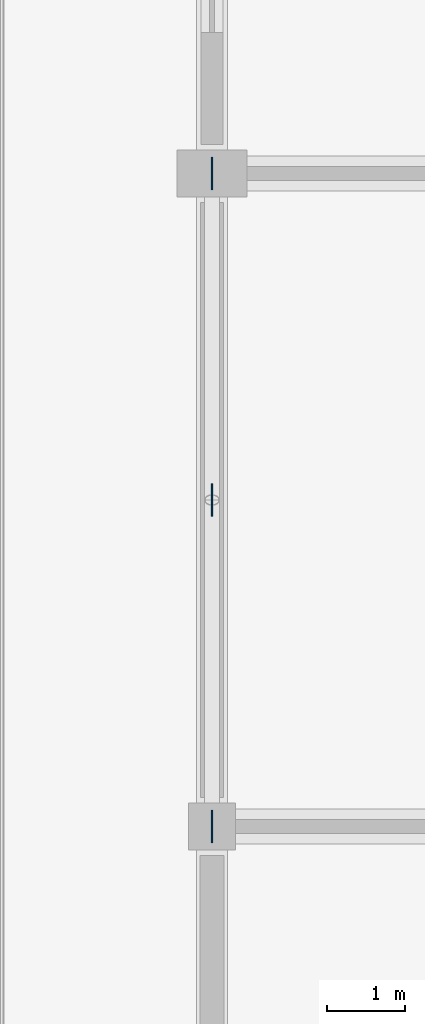
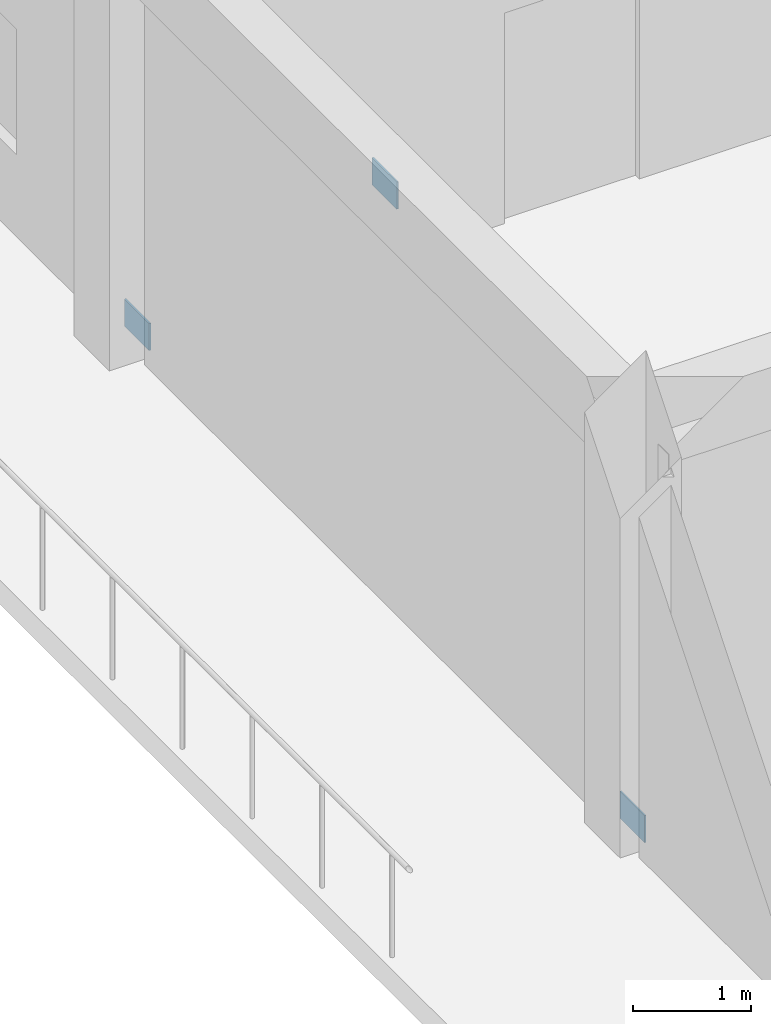
# One storey, part 87 of 138: 3 plates.
"""IFC4 building model written with IfcOpenShell, lengths in metres."""

from ifc_helpers import new_model, si_unit, direction, frame, origin, origin_2d, place, context, subcontext, project, spatial, rectangle, extrude, material, layer, layer_set, type_object, element, save


model = new_model("IFC4")

# Units and contexts
model_context = context("Model", 3, precision=1e-05, world=origin(), true_north=direction((0.0, 1.0)))
body_context = subcontext(model_context, "Body", "Model", "MODEL_VIEW")
ifc_project = project(units=[si_unit("LENGTHUNIT", "METRE"), si_unit("AREAUNIT", "SQUARE_METRE"), si_unit("VOLUMEUNIT", "CUBIC_METRE"), si_unit("PLANEANGLEUNIT", "RADIAN"), si_unit("MASSUNIT", "GRAM", prefix="KILO")], contexts=[model_context])

# Site, building, storey
site_placement = place(None, origin())
site = spatial("IfcSite", under=ifc_project, at=site_placement, CompositionType="ELEMENT")
building_placement = place(site_placement, origin())
building = spatial("IfcBuilding", under=site, at=building_placement, Name="Bramfleet General Hospital", CompositionType="ELEMENT")
storey_placement = place(building_placement, origin())
storey = spatial("IfcBuildingStorey", under=building, at=storey_placement, Name="L00", CompositionType="ELEMENT", Elevation=0.0)

# Plates
ifc_material = material(Name="Steel S355", Category="steel")
ifc_layer = layer(ifc_material, 0.01611328125, Name="PL-GP-420")
ifc_layer_set = layer_set([ifc_layer], Name="Steel S355")
plate_type = type_object("IfcPlateType", Name="PL-GP-420", PredefinedType="USERDEFINED", material=ifc_layer_set)
for number, where, z_axis, x_axis, name in (
    (1, (0.0, 71.39990234375, 4.009765625), (0.0, 0.0, 1.0), (1.0, 0.0, 0.0), "L00 Chevron Gusset Plate 7"),
    (2, (0.0, 67.199951171875, 0.0), (0.0, 0.0, 1.0), (1.0, 0.0, 0.0), "L00 Brace Foot Gusset Plate 7A"),
    (3, (0.0, 75.60009765625, 0.0), (0.0, 0.0, 1.0), (1.0, 0.0, 0.0), "L00 Brace Foot Gusset Plate 7B"),
):
    element("IfcPlate", number, at=place(storey_placement, frame(where, z_axis=z_axis, x_axis=x_axis)), inside=storey, type_object=plate_type, Name=name, ObjectType="Gusset plate", PredefinedType="USERDEFINED", context=body_context, shape_type="SweptSolid", body=[
        extrude(rectangle(XDim=0.01611328125, YDim=0.419921875, at=origin_2d()), origin(), (0.0, 0.0, 1.0), 0.280029296875),
    ])

save(model, "model.ifc")
